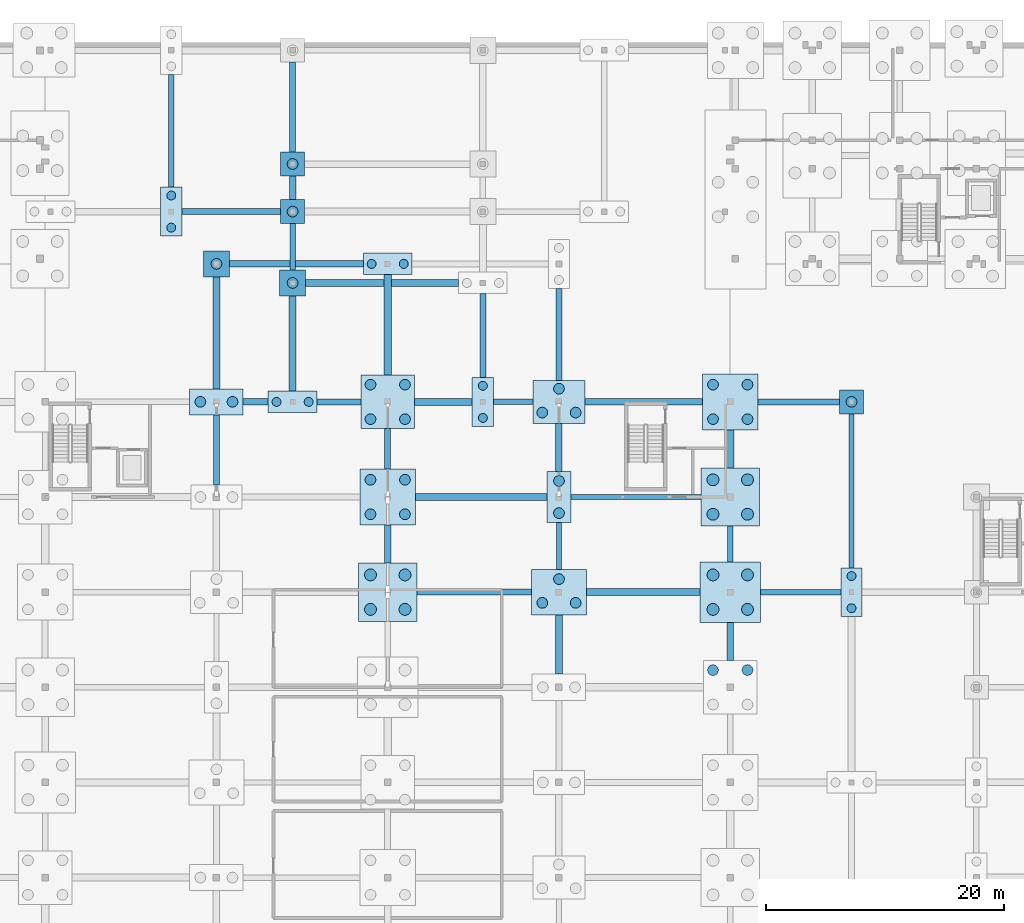
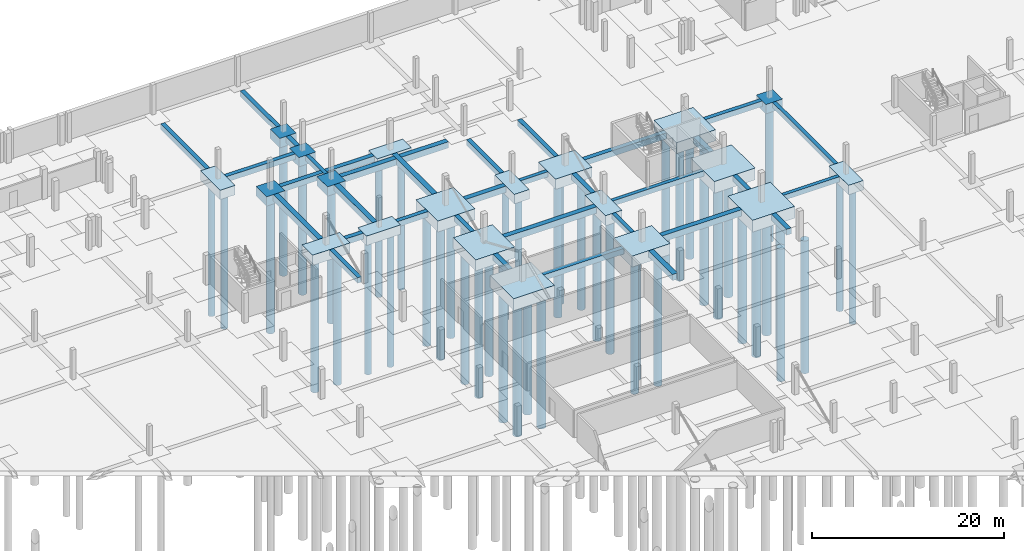
# One storey, part 7 of 38: 53 footings, 51 piles.
"""IFC4 building model written with IfcOpenShell, lengths in metres."""

from ifc_helpers import new_model, si_unit, direction, frame, origin, origin_2d, place, context, subcontext, project, spatial, rectangle, circle, extrude, material, material_profile, profile_set, type_object, element, save


model = new_model("IFC4")

# Units and contexts
model_context = context("Model", 3, precision=1e-05, world=origin(), true_north=direction((0.0, 1.0)))
body_context = subcontext(model_context, "Body", "Model", "MODEL_VIEW")
ifc_project = project(units=[si_unit("LENGTHUNIT", "METRE"), si_unit("AREAUNIT", "SQUARE_METRE"), si_unit("VOLUMEUNIT", "CUBIC_METRE"), si_unit("PLANEANGLEUNIT", "RADIAN"), si_unit("MASSUNIT", "GRAM", prefix="KILO")], contexts=[model_context])

# Site, building, storey
site_placement = place(None, origin())
site = spatial("IfcSite", under=ifc_project, at=site_placement, CompositionType="ELEMENT")
building_placement = place(site_placement, origin())
building = spatial("IfcBuilding", under=site, at=building_placement, Name="Zavelmont Quarter", CompositionType="ELEMENT")
storey_placement = place(building_placement, frame((0.0, 0.0, -3.800048828125)))
storey = spatial("IfcBuildingStorey", under=building, at=storey_placement, Name="B01", CompositionType="ELEMENT", Elevation=-3.800048828125)

# Footings
ifc_material = material(Name="Concrete C35/45", Category="concrete")
footing_type_1 = type_object("IfcFootingType", Name="GB01", PredefinedType="FOOTING_BEAM", material=ifc_material)
footing_1_placement = place(storey_placement, frame((91.27490234375, 70.0, -0.69970703125), z_axis=(0.0, 0.0, 1.0), x_axis=(1.0, 0.0, 0.0)))
element("IfcFooting", 1, at=footing_1_placement, inside=storey, type_object=footing_type_1, Name="B01 ground beam GB01 at 14/L", PredefinedType="FOOTING_BEAM", context=body_context, shape_type="SweptSolid", body=[
    extrude(rectangle(XDim=9.64990234375, YDim=0.5, at=origin_2d()), origin(), (0.0, 0.0, 1.0), 0.699951171875),
])
footing_2_placement = place(storey_placement, frame((79.89990234375, 86.0, -0.69970703125), z_axis=(0.0, 0.0, 1.0), x_axis=(1.0, 0.0, 0.0)))
element("IfcFooting", 2, at=footing_2_placement, inside=storey, type_object=footing_type_1, Name="B01 ground beam GB01 at 12/N", PredefinedType="FOOTING_BEAM", context=body_context, shape_type="SweptSolid", body=[
    extrude(rectangle(XDim=3.699951171875, YDim=0.5, at=origin_2d()), origin(), (0.0, 0.0, 1.0), 0.699951171875),
])
footing_3_placement = place(storey_placement, frame((118.574951171875, 86.0, -0.69970703125), z_axis=(0.0, 0.0, 1.0), x_axis=(1.0, 0.0, 0.0)))
element("IfcFooting", 3, at=footing_3_placement, inside=storey, type_object=footing_type_1, Name="B01 ground beam GB01 at 18/N", PredefinedType="FOOTING_BEAM", context=body_context, shape_type="SweptSolid", body=[
    extrude(rectangle(XDim=6.85009765625, YDim=0.5, at=origin_2d()), origin(), (0.0, 0.0, 1.0), 0.699951171875),
])
footing_4_placement = place(storey_placement, frame((70.85009765625, 102.0, -0.69970703125), z_axis=(0.0, 0.0, 1.0), x_axis=(1.0, 0.0, 0.0)))
element("IfcFooting", 4, at=footing_4_placement, inside=storey, type_object=footing_type_1, Name="B01 ground beam GB01 at 11/Q", PredefinedType="FOOTING_BEAM", context=body_context, shape_type="SweptSolid", body=[
    extrude(rectangle(XDim=8.300048828125, YDim=0.5, at=origin_2d()), origin(), (0.0, 0.0, 1.0), 0.699951171875),
])
footing_5_placement = place(storey_placement, frame((65.800048828125, 108.780029296875, -0.69970703125), z_axis=(0.0, 0.0, 1.0), x_axis=(0.0, 1.0, 0.0)))
element("IfcFooting", 5, at=footing_5_placement, inside=storey, type_object=footing_type_1, Name="B01 ground beam GB01 at 10/R", PredefinedType="FOOTING_BEAM", context=body_context, shape_type="SweptSolid", body=[
    extrude(rectangle(XDim=9.4599609375, YDim=0.5, at=origin_2d()), origin(), (0.0, 0.0, 1.0), 0.699951171875),
])
footing_6_placement = place(storey_placement, frame((69.60009765625, 81.949951171875, -0.69970703125), z_axis=(0.0, 0.0, 1.0), x_axis=(0.0, 1.0, 0.0)))
element("IfcFooting", 6, at=footing_6_placement, inside=storey, type_object=footing_type_1, Name="B01 ground beam GB01 at 11/M", PredefinedType="FOOTING_BEAM", context=body_context, shape_type="SweptSolid", body=[
    extrude(rectangle(XDim=5.89990234375, YDim=0.5, at=origin_2d()), origin(), (0.0, 0.0, 1.0), 0.699951171875),
])
footing_7_placement = place(storey_placement, frame((76.0, 110.780029296875, -0.69970703125), z_axis=(0.0, 0.0, 1.0), x_axis=(0.0, 1.0, 0.0)))
element("IfcFooting", 7, at=footing_7_placement, inside=storey, type_object=footing_type_1, Name="B01 ground beam GB01 at 12/R", PredefinedType="FOOTING_BEAM", context=body_context, shape_type="SweptSolid", body=[
    extrude(rectangle(XDim=7.56005859375, YDim=0.5, at=origin_2d()), origin(), (0.0, 0.0, 1.0), 0.699951171875),
])
footing_8_placement = place(storey_placement, frame((84.0, 82.050048828125, -0.69970703125), z_axis=(0.0, 0.0, 1.0), x_axis=(0.0, 1.0, 0.0)))
element("IfcFooting", 8, at=footing_8_placement, inside=storey, type_object=footing_type_1, Name="B01 ground beam GB01 at 13/N", PredefinedType="FOOTING_BEAM", context=body_context, shape_type="SweptSolid", body=[
    extrude(rectangle(XDim=3.39990234375, YDim=0.5, at=origin_2d()), origin(), (0.0, 0.0, 1.0), 0.699951171875),
])
footing_9_placement = place(storey_placement, frame((92.0, 91.574951171875, -0.69970703125), z_axis=(0.0, 0.0, 1.0), x_axis=(0.0, 1.0, 0.0)))
element("IfcFooting", 9, at=footing_9_placement, inside=storey, type_object=footing_type_1, Name="B01 ground beam GB01 at 14/N", PredefinedType="FOOTING_BEAM", context=body_context, shape_type="SweptSolid", body=[
    extrude(rectangle(XDim=7.050048828125, YDim=0.5, at=origin_2d()), origin(), (0.0, 0.0, 1.0), 0.699951171875),
])
footing_10_placement = place(storey_placement, frame((98.39990234375, 91.675048828125, -0.69970703125), z_axis=(0.0, 0.0, 1.0), x_axis=(0.0, 1.0, 0.0)))
element("IfcFooting", 10, at=footing_10_placement, inside=storey, type_object=footing_type_1, Name="B01 ground beam GB01 at 15/N", PredefinedType="FOOTING_BEAM", context=body_context, shape_type="SweptSolid", body=[
    extrude(rectangle(XDim=7.75, YDim=0.5, at=origin_2d()), origin(), (0.0, 0.0, 1.0), 0.699951171875),
])
footing_11_placement = place(storey_placement, frame((112.800048828125, 74.050048828125, -0.69970703125), z_axis=(0.0, 0.0, 1.0), x_axis=(0.0, 1.0, 0.0)))
element("IfcFooting", 11, at=footing_11_placement, inside=storey, type_object=footing_type_1, Name="B01 ground beam GB01 at 17/M", PredefinedType="FOOTING_BEAM", context=body_context, shape_type="SweptSolid", body=[
    extrude(rectangle(XDim=3.0, YDim=0.5, at=origin_2d()), origin(), (0.0, 0.0, 1.0), 0.699951171875),
])
footing_type_2 = type_object("IfcFootingType", Name="GB02", PredefinedType="FOOTING_BEAM", material=ifc_material)
footing_12_placement = place(storey_placement, frame((105.47509765625, 70.0, -0.7998046875), z_axis=(0.0, 0.0, 1.0), x_axis=(1.0, 0.0, 0.0)))
element("IfcFooting", 12, at=footing_12_placement, inside=storey, type_object=footing_type_2, Name="B01 ground beam GB02 at 16/L", PredefinedType="FOOTING_BEAM", context=body_context, shape_type="SweptSolid", body=[
    extrude(rectangle(XDim=9.550048828125, YDim=0.60009765625, at=origin_2d()), origin(), (0.0, 0.0, 1.0), 0.800048828125),
])
footing_13_placement = place(storey_placement, frame((91.875, 78.0, -0.7998046875), z_axis=(0.0, 0.0, 1.0), x_axis=(1.0, 0.0, 0.0)))
element("IfcFooting", 13, at=footing_13_placement, inside=storey, type_object=footing_type_2, Name="B01 ground beam GB02 at 14/M", PredefinedType="FOOTING_BEAM", context=body_context, shape_type="SweptSolid", body=[
    extrude(rectangle(XDim=11.050048828125, YDim=0.60009765625, at=origin_2d()), origin(), (0.0, 0.0, 1.0), 0.800048828125),
])
footing_14_placement = place(storey_placement, frame((88.675048828125, 86.0, -0.7998046875), z_axis=(0.0, 0.0, 1.0), x_axis=(1.0, 0.0, 0.0)))
element("IfcFooting", 14, at=footing_14_placement, inside=storey, type_object=footing_type_2, Name="B01 ground beam GB02 at 14/N", PredefinedType="FOOTING_BEAM", context=body_context, shape_type="SweptSolid", body=[
    extrude(rectangle(XDim=4.85009765625, YDim=0.60009765625, at=origin_2d()), origin(), (0.0, 0.0, 1.0), 0.800048828125),
])
footing_15_placement = place(storey_placement, frame((83.52490234375, 96.0, -0.7998046875), z_axis=(0.0, 0.0, 1.0), x_axis=(1.0, 0.0, 0.0)))
element("IfcFooting", 15, at=footing_15_placement, inside=storey, type_object=footing_type_2, Name="B01 ground beam GB02 at 13/P", PredefinedType="FOOTING_BEAM", context=body_context, shape_type="SweptSolid", body=[
    extrude(rectangle(XDim=12.85009765625, YDim=0.60009765625, at=origin_2d()), origin(), (0.0, 0.0, 1.0), 0.800048828125),
])
footing_16_placement = place(storey_placement, frame((69.60009765625, 91.800048828125, -0.7998046875), z_axis=(0.0, 0.0, 1.0), x_axis=(0.0, 1.0, 0.0)))
element("IfcFooting", 16, at=footing_16_placement, inside=storey, type_object=footing_type_2, Name="B01 ground beam GB02 at 11/N", PredefinedType="FOOTING_BEAM", context=body_context, shape_type="SweptSolid", body=[
    extrude(rectangle(XDim=9.39990234375, YDim=0.60009765625, at=origin_2d()), origin(), (0.0, 0.0, 1.0), 0.800048828125),
])
footing_17_placement = place(storey_placement, frame((76.0, 90.89990234375, -0.7998046875), z_axis=(0.0, 0.0, 1.0), x_axis=(0.0, 1.0, 0.0)))
element("IfcFooting", 17, at=footing_17_placement, inside=storey, type_object=footing_type_2, Name="B01 ground beam GB02 at 12/N", PredefinedType="FOOTING_BEAM", context=body_context, shape_type="SweptSolid", body=[
    extrude(rectangle(XDim=8.0, YDim=0.60009765625, at=origin_2d()), origin(), (0.0, 0.0, 1.0), 0.800048828125),
])
footing_18_placement = place(storey_placement, frame((84.0, 92.47509765625, -0.7998046875), z_axis=(0.0, 0.0, 1.0), x_axis=(0.0, 1.0, 0.0)))
element("IfcFooting", 18, at=footing_18_placement, inside=storey, type_object=footing_type_2, Name="B01 ground beam GB02 at 13/P", PredefinedType="FOOTING_BEAM", context=body_context, shape_type="SweptSolid", body=[
    extrude(rectangle(XDim=8.449951171875, YDim=0.60009765625, at=origin_2d()), origin(), (0.0, 0.0, 1.0), 0.800048828125),
])
footing_19_placement = place(storey_placement, frame((98.39990234375, 65.60009765625, -0.7998046875), z_axis=(0.0, 0.0, 1.0), x_axis=(0.0, 1.0, 0.0)))
element("IfcFooting", 19, at=footing_19_placement, inside=storey, type_object=footing_type_2, Name="B01 ground beam GB02 at 15/K", PredefinedType="FOOTING_BEAM", context=body_context, shape_type="SweptSolid", body=[
    extrude(rectangle(XDim=5.0, YDim=0.60009765625, at=origin_2d()), origin(), (0.0, 0.0, 1.0), 0.800048828125),
])
footing_20_placement = place(storey_placement, frame((112.800048828125, 82.050048828125, -0.7998046875), z_axis=(0.0, 0.0, 1.0), x_axis=(0.0, 1.0, 0.0)))
element("IfcFooting", 20, at=footing_20_placement, inside=storey, type_object=footing_type_2, Name="B01 ground beam GB02 at 17/N", PredefinedType="FOOTING_BEAM", context=body_context, shape_type="SweptSolid", body=[
    extrude(rectangle(XDim=3.199951171875, YDim=0.60009765625, at=origin_2d()), origin(), (0.0, 0.0, 1.0), 0.800048828125),
])
footing_type_3 = type_object("IfcFootingType", Name="GB03", PredefinedType="FOOTING_BEAM", material=ifc_material)
footing_21_placement = place(storey_placement, frame((118.72509765625, 70.0, -0.64990234375), z_axis=(0.0, 0.0, 1.0), x_axis=(1.0, 0.0, 0.0)))
element("IfcFooting", 21, at=footing_21_placement, inside=storey, type_object=footing_type_3, Name="B01 ground beam GB03 at 18/L", PredefinedType="FOOTING_BEAM", context=body_context, shape_type="SweptSolid", body=[
    extrude(rectangle(XDim=6.75, YDim=0.449951171875, at=origin_2d()), origin(), (0.0, 0.0, 1.0), 0.64990234375),
])
footing_22_placement = place(storey_placement, frame((104.875, 78.0, -0.64990234375), z_axis=(0.0, 0.0, 1.0), x_axis=(1.0, 0.0, 0.0)))
element("IfcFooting", 22, at=footing_22_placement, inside=storey, type_object=footing_type_3, Name="B01 ground beam GB03 at 16/M", PredefinedType="FOOTING_BEAM", context=body_context, shape_type="SweptSolid", body=[
    extrude(rectangle(XDim=10.949951171875, YDim=0.449951171875, at=origin_2d()), origin(), (0.0, 0.0, 1.0), 0.64990234375),
])
footing_23_placement = place(storey_placement, frame((94.550048828125, 86.0, -0.64990234375), z_axis=(0.0, 0.0, 1.0), x_axis=(1.0, 0.0, 0.0)))
element("IfcFooting", 23, at=footing_23_placement, inside=storey, type_object=footing_type_3, Name="B01 ground beam GB03 at 14/N", PredefinedType="FOOTING_BEAM", context=body_context, shape_type="SweptSolid", body=[
    extrude(rectangle(XDim=3.300048828125, YDim=0.449951171875, at=origin_2d()), origin(), (0.0, 0.0, 1.0), 0.64990234375),
])
footing_24_placement = place(storey_placement, frame((76.0, 99.050048828125, -0.64990234375), z_axis=(0.0, 0.0, 1.0), x_axis=(0.0, 1.0, 0.0)))
element("IfcFooting", 24, at=footing_24_placement, inside=storey, type_object=footing_type_3, Name="B01 ground beam GB03 at 12/P", PredefinedType="FOOTING_BEAM", context=body_context, shape_type="SweptSolid", body=[
    extrude(rectangle(XDim=3.89990234375, YDim=0.449951171875, at=origin_2d()), origin(), (0.0, 0.0, 1.0), 0.64990234375),
])
footing_25_placement = place(storey_placement, frame((98.39990234375, 73.875, -0.64990234375), z_axis=(0.0, 0.0, 1.0), x_axis=(0.0, 1.0, 0.0)))
element("IfcFooting", 25, at=footing_25_placement, inside=storey, type_object=footing_type_3, Name="B01 ground beam GB03 at 15/L", PredefinedType="FOOTING_BEAM", context=body_context, shape_type="SweptSolid", body=[
    extrude(rectangle(XDim=3.949951171875, YDim=0.449951171875, at=origin_2d()), origin(), (0.0, 0.0, 1.0), 0.64990234375),
])
footing_26_placement = place(storey_placement, frame((123.0, 78.52490234375, -0.64990234375), z_axis=(0.0, 0.0, 1.0), x_axis=(0.0, 1.0, 0.0)))
element("IfcFooting", 26, at=footing_26_placement, inside=storey, type_object=footing_type_3, Name="B01 ground beam GB03 at 18/M", PredefinedType="FOOTING_BEAM", context=body_context, shape_type="SweptSolid", body=[
    extrude(rectangle(XDim=12.949951171875, YDim=0.449951171875, at=origin_2d()), origin(), (0.0, 0.0, 1.0), 0.64990234375),
])
footing_type_4 = type_object("IfcFootingType", Name="GB04", PredefinedType="FOOTING_BEAM", material=ifc_material)
footing_27_placement = place(storey_placement, frame((72.89990234375, 86.0, -0.75), z_axis=(0.0, 0.0, 1.0), x_axis=(1.0, 0.0, 0.0)))
element("IfcFooting", 27, at=footing_27_placement, inside=storey, type_object=footing_type_4, Name="B01 ground beam GB04 at 11/N", PredefinedType="FOOTING_BEAM", context=body_context, shape_type="SweptSolid", body=[
    extrude(rectangle(XDim=2.10009765625, YDim=0.550048828125, at=origin_2d()), origin(), (0.0, 0.0, 1.0), 0.75),
])
footing_28_placement = place(storey_placement, frame((105.52490234375, 86.0, -0.75), z_axis=(0.0, 0.0, 1.0), x_axis=(1.0, 0.0, 0.0)))
element("IfcFooting", 28, at=footing_28_placement, inside=storey, type_object=footing_type_4, Name="B01 ground beam GB04 at 16/N", PredefinedType="FOOTING_BEAM", context=body_context, shape_type="SweptSolid", body=[
    extrude(rectangle(XDim=9.85009765625, YDim=0.550048828125, at=origin_2d()), origin(), (0.0, 0.0, 1.0), 0.75),
])
footing_29_placement = place(storey_placement, frame((76.324951171875, 97.60009765625, -0.75), z_axis=(0.0, 0.0, 1.0), x_axis=(1.0, 0.0, 0.0)))
element("IfcFooting", 29, at=footing_29_placement, inside=storey, type_object=footing_type_4, Name="B01 ground beam GB04 at 12/P", PredefinedType="FOOTING_BEAM", context=body_context, shape_type="SweptSolid", body=[
    extrude(rectangle(XDim=11.25, YDim=0.550048828125, at=origin_2d()), origin(), (0.0, 0.0, 1.0), 0.75),
])
footing_30_placement = place(storey_placement, frame((76.0, 104.0, -0.75), z_axis=(0.0, 0.0, 1.0), x_axis=(0.0, 1.0, 0.0)))
element("IfcFooting", 30, at=footing_30_placement, inside=storey, type_object=footing_type_4, Name="B01 ground beam GB04 at 12/Q", PredefinedType="FOOTING_BEAM", context=body_context, shape_type="SweptSolid", body=[
    extrude(rectangle(XDim=2.0, YDim=0.550048828125, at=origin_2d()), origin(), (0.0, 0.0, 1.0), 0.75),
])
footing_31_placement = place(storey_placement, frame((84.0, 74.050048828125, -0.75), z_axis=(0.0, 0.0, 1.0), x_axis=(0.0, 1.0, 0.0)))
element("IfcFooting", 31, at=footing_31_placement, inside=storey, type_object=footing_type_4, Name="B01 ground beam GB04 at 13/M", PredefinedType="FOOTING_BEAM", context=body_context, shape_type="SweptSolid", body=[
    extrude(rectangle(XDim=3.199951171875, YDim=0.550048828125, at=origin_2d()), origin(), (0.0, 0.0, 1.0), 0.75),
])
footing_32_placement = place(storey_placement, frame((98.39990234375, 82.175048828125, -0.75), z_axis=(0.0, 0.0, 1.0), x_axis=(0.0, 1.0, 0.0)))
element("IfcFooting", 32, at=footing_32_placement, inside=storey, type_object=footing_type_4, Name="B01 ground beam GB04 at 15/N", PredefinedType="FOOTING_BEAM", context=body_context, shape_type="SweptSolid", body=[
    extrude(rectangle(XDim=4.050048828125, YDim=0.550048828125, at=origin_2d()), origin(), (0.0, 0.0, 1.0), 0.75),
])
footing_33_placement = place(storey_placement, frame((112.800048828125, 65.85009765625, -0.75), z_axis=(0.0, 0.0, 1.0), x_axis=(0.0, 1.0, 0.0)))
element("IfcFooting", 33, at=footing_33_placement, inside=storey, type_object=footing_type_4, Name="B01 ground beam GB04 at 17/K", PredefinedType="FOOTING_BEAM", context=body_context, shape_type="SweptSolid", body=[
    extrude(rectangle(XDim=3.199951171875, YDim=0.550048828125, at=origin_2d()), origin(), (0.0, 0.0, 1.0), 0.75),
])

# Piles
ifc_material_profile_1 = material_profile(ifc_material, circle(Radius=0.5, at=origin_2d()), Name="BP1000")
ifc_profile_set_1 = profile_set([ifc_material_profile_1], Name="Concrete C35/45")
pile_type_1 = type_object("IfcPileType", Name="P01", PredefinedType="BORED", material=ifc_profile_set_1)
for number, where, z_axis, x_axis, name in (
    (34, (82.550048828125, 68.550048828125, -1.39990234375), (0.0, 0.0, -1.0), (1.0, 0.0, 0.0), "B01 bored pile P01 under CAP-126.1"),
    (35, (85.449951171875, 68.550048828125, -1.39990234375), (0.0, 0.0, -1.0), (1.0, 0.0, 0.0), "B01 bored pile P01 under CAP-126.2"),
    (36, (85.449951171875, 71.449951171875, -1.39990234375), (0.0, 0.0, -1.0), (1.0, 0.0, 0.0), "B01 bored pile P01 under CAP-126.3"),
    (37, (82.550048828125, 71.449951171875, -1.39990234375), (0.0, 0.0, -1.0), (1.0, 0.0, 0.0), "B01 bored pile P01 under CAP-126.4"),
    (38, (111.35009765625, 68.550048828125, -1.39990234375), (0.0, 0.0, -1.0), (1.0, 0.0, 0.0), "B01 bored pile P01 under CAP-128.1"),
    (39, (114.25, 68.550048828125, -1.39990234375), (0.0, 0.0, -1.0), (1.0, 0.0, 0.0), "B01 bored pile P01 under CAP-128.2"),
    (40, (114.25, 71.449951171875, -1.39990234375), (0.0, 0.0, -1.0), (1.0, 0.0, 0.0), "B01 bored pile P01 under CAP-128.3"),
    (41, (111.35009765625, 71.449951171875, -1.39990234375), (0.0, 0.0, -1.0), (1.0, 0.0, 0.0), "B01 bored pile P01 under CAP-128.4"),
    (42, (111.35009765625, 76.550048828125, -1.39990234375), (0.0, 0.0, -1.0), (1.0, 0.0, 0.0), "B01 bored pile P01 under CAP-143.1"),
    (43, (114.25, 76.550048828125, -1.39990234375), (0.0, 0.0, -1.0), (1.0, 0.0, 0.0), "B01 bored pile P01 under CAP-143.2"),
    (44, (114.25, 79.449951171875, -1.39990234375), (0.0, 0.0, -1.0), (1.0, 0.0, 0.0), "B01 bored pile P01 under CAP-143.3"),
    (45, (111.35009765625, 79.449951171875, -1.39990234375), (0.0, 0.0, -1.0), (1.0, 0.0, 0.0), "B01 bored pile P01 under CAP-143.4"),
):
    element("IfcPile", number, at=place(storey_placement, frame(where, z_axis=z_axis, x_axis=x_axis)), inside=storey, type_object=pile_type_1, Name=name, PredefinedType="BORED", context=body_context, shape_type="SweptSolid", body=[
        extrude(circle(Radius=0.5, at=origin_2d()), origin(), (0.0, 0.0, 1.0), 16.800048828125),
    ])
ifc_material_profile_2 = material_profile(ifc_material, circle(Radius=0.449951171875, at=origin_2d()), Name="BP900")
ifc_profile_set_2 = profile_set([ifc_material_profile_2], Name="Concrete C35/45")
pile_type_2 = type_object("IfcPileType", Name="P02", PredefinedType="BORED", material=ifc_profile_set_2)
for number, where, z_axis, x_axis, name in (
    (46, (114.25, 63.449951171875, -1.300048828125), (0.0, 0.0, -1.0), (1.0, 0.0, 0.0), "B01 bored pile P02 under CAP-116.3"),
    (47, (111.35009765625, 63.449951171875, -1.300048828125), (0.0, 0.0, -1.0), (1.0, 0.0, 0.0), "B01 bored pile P02 under CAP-116.4"),
    (48, (97.0, 69.10009765625, -1.300048828125), (0.0, 0.0, -1.0), (1.0, 0.0, 0.0), "B01 bored pile P02 under CAP-127.1"),
    (49, (99.800048828125, 69.10009765625, -1.300048828125), (0.0, 0.0, -1.0), (1.0, 0.0, 0.0), "B01 bored pile P02 under CAP-127.2"),
    (50, (98.39990234375, 71.10009765625, -1.300048828125), (0.0, 0.0, -1.0), (1.0, 0.0, 0.0), "B01 bored pile P02 under CAP-127.3"),
    (51, (82.550048828125, 76.550048828125, -1.300048828125), (0.0, 0.0, -1.0), (1.0, 0.0, 0.0), "B01 bored pile P02 under CAP-141.1"),
    (52, (85.449951171875, 76.550048828125, -1.300048828125), (0.0, 0.0, -1.0), (1.0, 0.0, 0.0), "B01 bored pile P02 under CAP-141.2"),
    (53, (85.449951171875, 79.449951171875, -1.300048828125), (0.0, 0.0, -1.0), (1.0, 0.0, 0.0), "B01 bored pile P02 under CAP-141.3"),
    (54, (82.550048828125, 79.449951171875, -1.300048828125), (0.0, 0.0, -1.0), (1.0, 0.0, 0.0), "B01 bored pile P02 under CAP-141.4"),
    (55, (82.550048828125, 84.550048828125, -1.300048828125), (0.0, 0.0, -1.0), (1.0, 0.0, 0.0), "B01 bored pile P02 under CAP-156.1"),
    (56, (85.449951171875, 84.550048828125, -1.300048828125), (0.0, 0.0, -1.0), (1.0, 0.0, 0.0), "B01 bored pile P02 under CAP-156.2"),
    (57, (85.449951171875, 87.449951171875, -1.300048828125), (0.0, 0.0, -1.0), (1.0, 0.0, 0.0), "B01 bored pile P02 under CAP-156.3"),
    (58, (82.550048828125, 87.449951171875, -1.300048828125), (0.0, 0.0, -1.0), (1.0, 0.0, 0.0), "B01 bored pile P02 under CAP-156.4"),
    (59, (111.35009765625, 84.550048828125, -1.300048828125), (0.0, 0.0, -1.0), (1.0, 0.0, 0.0), "B01 bored pile P02 under CAP-159.1"),
    (60, (114.25, 84.550048828125, -1.300048828125), (0.0, 0.0, -1.0), (1.0, 0.0, 0.0), "B01 bored pile P02 under CAP-159.2"),
    (61, (114.25, 87.449951171875, -1.300048828125), (0.0, 0.0, -1.0), (1.0, 0.0, 0.0), "B01 bored pile P02 under CAP-159.3"),
    (62, (111.35009765625, 87.449951171875, -1.300048828125), (0.0, 0.0, -1.0), (1.0, 0.0, 0.0), "B01 bored pile P02 under CAP-159.4"),
):
    element("IfcPile", number, at=place(storey_placement, frame(where, z_axis=z_axis, x_axis=x_axis)), inside=storey, type_object=pile_type_2, Name=name, PredefinedType="BORED", context=body_context, shape_type="SweptSolid", body=[
        extrude(circle(Radius=0.449951171875, at=origin_2d()), origin(), (0.0, 0.0, 1.0), 16.89990234375),
    ])
ifc_material_profile_3 = material_profile(ifc_material, circle(Radius=0.449951171875, at=origin_2d()), Name="BP900")
ifc_profile_set_3 = profile_set([ifc_material_profile_3], Name="Concrete C35/45")
pile_type_3 = type_object("IfcPileType", Name="P03", PredefinedType="BORED", material=ifc_profile_set_3)
for number, where, z_axis, x_axis, name in (
    (63, (98.39990234375, 76.64990234375, -1.199951171875), (0.0, 0.0, -1.0), (1.0, 0.0, 0.0), "B01 bored pile P03 under CAP-142.1"),
    (64, (98.39990234375, 79.35009765625, -1.199951171875), (0.0, 0.0, -1.0), (1.0, 0.0, 0.0), "B01 bored pile P03 under CAP-142.2"),
    (65, (68.25, 86.0, -1.199951171875), (0.0, 0.0, -1.0), (1.0, 0.0, 0.0), "B01 bored pile P03 under CAP-154.1"),
    (66, (70.949951171875, 86.0, -1.199951171875), (0.0, 0.0, -1.0), (1.0, 0.0, 0.0), "B01 bored pile P03 under CAP-154.2"),
    (67, (97.0, 85.10009765625, -1.199951171875), (0.0, 0.0, -1.0), (1.0, 0.0, 0.0), "B01 bored pile P03 under CAP-158.1"),
    (68, (99.800048828125, 85.10009765625, -1.199951171875), (0.0, 0.0, -1.0), (1.0, 0.0, 0.0), "B01 bored pile P03 under CAP-158.2"),
    (69, (98.39990234375, 87.10009765625, -1.199951171875), (0.0, 0.0, -1.0), (1.0, 0.0, 0.0), "B01 bored pile P03 under CAP-158.3"),
):
    element("IfcPile", number, at=place(storey_placement, frame(where, z_axis=z_axis, x_axis=x_axis)), inside=storey, type_object=pile_type_3, Name=name, PredefinedType="BORED", context=body_context, shape_type="SweptSolid", body=[
        extrude(circle(Radius=0.449951171875, at=origin_2d()), origin(), (0.0, 0.0, 1.0), 17.0),
    ])
ifc_material_profile_4 = material_profile(ifc_material, circle(Radius=0.449951171875, at=origin_2d()), Name="BP900")
ifc_profile_set_4 = profile_set([ifc_material_profile_4], Name="Concrete C35/45")
pile_type_4 = type_object("IfcPileType", Name="P04", PredefinedType="BORED", material=ifc_profile_set_4)
for number, where, z_axis, x_axis, name in (
    (70, (123.0, 86.0, -1.099853515625), (0.0, 0.0, -1.0), (1.0, 0.0, 0.0), "B01 bored pile P04 under CAP-160.1"),
    (71, (76.0, 96.0, -1.099853515625), (0.0, 0.0, -1.0), (1.0, 0.0, 0.0), "B01 bored pile P04 under CAP-161.1"),
    (72, (69.60009765625, 97.60009765625, -1.099853515625), (0.0, 0.0, -1.0), (1.0, 0.0, 0.0), "B01 bored pile P04 under CAP-163.1"),
    (73, (76.0, 102.0, -1.099853515625), (0.0, 0.0, -1.0), (1.0, 0.0, 0.0), "B01 bored pile P04 under CAP-183.1"),
    (74, (76.0, 106.0, -1.099853515625), (0.0, 0.0, -1.0), (1.0, 0.0, 0.0), "B01 bored pile P04 under CAP-187.1"),
):
    element("IfcPile", number, at=place(storey_placement, frame(where, z_axis=z_axis, x_axis=x_axis)), inside=storey, type_object=pile_type_4, Name=name, PredefinedType="BORED", context=body_context, shape_type="SweptSolid", body=[
        extrude(circle(Radius=0.449951171875, at=origin_2d()), origin(), (0.0, 0.0, 1.0), 17.10009765625),
    ])
ifc_material_profile_5 = material_profile(ifc_material, circle(Radius=0.375, at=origin_2d()), Name="BP750")
ifc_profile_set_5 = profile_set([ifc_material_profile_5], Name="Concrete C35/45")
pile_type_5 = type_object("IfcPileType", Name="P05", PredefinedType="BORED", material=ifc_profile_set_5)
for number, where, z_axis, x_axis, name in (
    (75, (123.0, 68.64990234375, -1.099853515625), (0.0, 0.0, -1.0), (1.0, 0.0, 0.0), "B01 bored pile P05 under CAP-129.1"),
    (76, (123.0, 71.35009765625, -1.099853515625), (0.0, 0.0, -1.0), (1.0, 0.0, 0.0), "B01 bored pile P05 under CAP-129.2"),
    (77, (74.64990234375, 86.0, -1.099853515625), (0.0, 0.0, -1.0), (1.0, 0.0, 0.0), "B01 bored pile P05 under CAP-155.1"),
    (78, (77.35009765625, 86.0, -1.099853515625), (0.0, 0.0, -1.0), (1.0, 0.0, 0.0), "B01 bored pile P05 under CAP-155.2"),
    (79, (92.0, 84.64990234375, -1.099853515625), (0.0, 0.0, -1.0), (1.0, 0.0, 0.0), "B01 bored pile P05 under CAP-157.1"),
    (80, (92.0, 87.35009765625, -1.099853515625), (0.0, 0.0, -1.0), (1.0, 0.0, 0.0), "B01 bored pile P05 under CAP-157.2"),
    (81, (82.64990234375, 97.60009765625, -1.099853515625), (0.0, 0.0, -1.0), (1.0, 0.0, 0.0), "B01 bored pile P05 under CAP-164.1"),
    (82, (85.35009765625, 97.60009765625, -1.099853515625), (0.0, 0.0, -1.0), (1.0, 0.0, 0.0), "B01 bored pile P05 under CAP-164.2"),
    (83, (65.800048828125, 100.64990234375, -1.099853515625), (0.0, 0.0, -1.0), (1.0, 0.0, 0.0), "B01 bored pile P05 under CAP-182.1"),
    (84, (65.800048828125, 103.35009765625, -1.099853515625), (0.0, 0.0, -1.0), (1.0, 0.0, 0.0), "B01 bored pile P05 under CAP-182.2"),
):
    element("IfcPile", number, at=place(storey_placement, frame(where, z_axis=z_axis, x_axis=x_axis)), inside=storey, type_object=pile_type_5, Name=name, PredefinedType="BORED", context=body_context, shape_type="SweptSolid", body=[
        extrude(circle(Radius=0.375, at=origin_2d()), origin(), (0.0, 0.0, 1.0), 17.10009765625),
    ])

# Footings
footing_type_5 = type_object("IfcFootingType", Name="PC03", PredefinedType="PILE_CAP", material=ifc_material)
for number, where, z_axis, x_axis, name in (
    (85, (123.0, 86.0, -1.19970703125), (0.0, 0.0, 1.0), (1.0, 0.0, 0.0), "B01 pile cap PC03 at 18/N"),
    (86, (76.0, 102.0, -1.19970703125), (0.0, 0.0, 1.0), (1.0, 0.0, 0.0), "B01 pile cap PC03 at 12/Q"),
    (87, (76.0, 106.0, -1.19970703125), (0.0, 0.0, 1.0), (1.0, 0.0, 0.0), "B01 pile cap PC03 at 12/Q"),
):
    element("IfcFooting", number, at=place(storey_placement, frame(where, z_axis=z_axis, x_axis=x_axis)), inside=storey, type_object=footing_type_5, Name=name, PredefinedType="PILE_CAP", context=body_context, shape_type="SweptSolid", body=[
        extrude(rectangle(XDim=2.0, YDim=2.0, at=origin_2d()), origin(), (0.0, 0.0, 1.0), 1.199951171875),
    ])
footing_type_6 = type_object("IfcFootingType", Name="PC04", PredefinedType="PILE_CAP", material=ifc_material)
for number, where, z_axis, x_axis, name in (
    (88, (76.0, 96.0, -1.19970703125), (0.0, 0.0, 1.0), (1.0, 0.0, 0.0), "B01 pile cap PC04 at 12/P"),
    (89, (69.60009765625, 97.60009765625, -1.19970703125), (0.0, 0.0, 1.0), (1.0, 0.0, 0.0), "B01 pile cap PC04 at 11/P"),
):
    element("IfcFooting", number, at=place(storey_placement, frame(where, z_axis=z_axis, x_axis=x_axis)), inside=storey, type_object=footing_type_6, Name=name, PredefinedType="PILE_CAP", context=body_context, shape_type="SweptSolid", body=[
        extrude(rectangle(XDim=2.199951171875, YDim=2.199951171875, at=origin_2d()), origin(), (0.0, 0.0, 1.0), 1.199951171875),
    ])
footing_type_7 = type_object("IfcFootingType", Name="PC05", PredefinedType="PILE_CAP", material=ifc_material)
for number, where, z_axis, x_axis, name in (
    (90, (76.0, 86.0, -1.19970703125), (0.0, 0.0, 1.0), (1.0, 0.0, 0.0), "B01 pile cap PC05 at 12/N"),
    (91, (84.0, 97.60009765625, -1.19970703125), (0.0, 0.0, 1.0), (1.0, 0.0, 0.0), "B01 pile cap PC05 at 13/P"),
):
    element("IfcFooting", number, at=place(storey_placement, frame(where, z_axis=z_axis, x_axis=x_axis)), inside=storey, type_object=footing_type_7, Name=name, PredefinedType="PILE_CAP", context=body_context, shape_type="SweptSolid", body=[
        extrude(rectangle(XDim=4.10009765625, YDim=1.800048828125, at=origin_2d()), origin(), (0.0, 0.0, 1.0), 1.199951171875),
    ])
footing_type_8 = type_object("IfcFootingType", Name="PC06", PredefinedType="PILE_CAP", material=ifc_material)
for number, where, z_axis, x_axis, name in (
    (92, (123.0, 70.0, -1.19970703125), (0.0, 0.0, 1.0), (1.0, 0.0, 0.0), "B01 pile cap PC06 at 18/L"),
    (93, (92.0, 86.0, -1.19970703125), (0.0, 0.0, 1.0), (1.0, 0.0, 0.0), "B01 pile cap PC06 at 14/N"),
    (94, (65.800048828125, 102.0, -1.19970703125), (0.0, 0.0, 1.0), (1.0, 0.0, 0.0), "B01 pile cap PC06 at 10/Q"),
):
    element("IfcFooting", number, at=place(storey_placement, frame(where, z_axis=z_axis, x_axis=x_axis)), inside=storey, type_object=footing_type_8, Name=name, PredefinedType="PILE_CAP", context=body_context, shape_type="SweptSolid", body=[
        extrude(rectangle(XDim=1.800048828125, YDim=4.10009765625, at=origin_2d()), origin(), (0.0, 0.0, 1.0), 1.199951171875),
    ])
footing_type_9 = type_object("IfcFootingType", Name="PC08", PredefinedType="PILE_CAP", material=ifc_material)
footing_34_placement = place(storey_placement, frame((98.39990234375, 78.0, -1.2998046875), z_axis=(0.0, 0.0, 1.0), x_axis=(1.0, 0.0, 0.0)))
element("IfcFooting", 95, at=footing_34_placement, inside=storey, type_object=footing_type_9, Name="B01 pile cap PC08 at 15/M", PredefinedType="PILE_CAP", context=body_context, shape_type="SweptSolid", body=[
    extrude(rectangle(XDim=2.0, YDim=4.300048828125, at=origin_2d()), origin(), (0.0, 0.0, 1.0), 1.300048828125),
])
footing_type_10 = type_object("IfcFootingType", Name="PC09", PredefinedType="PILE_CAP", material=ifc_material)
footing_35_placement = place(storey_placement, frame((69.60009765625, 86.0, -1.2998046875), z_axis=(0.0, 0.0, 1.0), x_axis=(1.0, 0.0, 0.0)))
element("IfcFooting", 96, at=footing_35_placement, inside=storey, type_object=footing_type_10, Name="B01 pile cap PC09 at 11/N", PredefinedType="PILE_CAP", context=body_context, shape_type="SweptSolid", body=[
    extrude(rectangle(XDim=4.5, YDim=2.199951171875, at=origin_2d()), origin(), (0.0, 0.0, 1.0), 1.300048828125),
])
footing_type_11 = type_object("IfcFootingType", Name="PC10", PredefinedType="PILE_CAP", material=ifc_material)
footing_36_placement = place(storey_placement, frame((98.39990234375, 86.0, -1.2998046875), z_axis=(0.0, 0.0, 1.0), x_axis=(1.0, 0.0, 0.0)))
element("IfcFooting", 97, at=footing_36_placement, inside=storey, type_object=footing_type_11, Name="B01 pile cap PC10 at 15/N", PredefinedType="PILE_CAP", context=body_context, shape_type="SweptSolid", body=[
    extrude(rectangle(XDim=4.39990234375, YDim=3.60009765625, at=origin_2d()), origin(), (0.0, 0.0, 1.0), 1.300048828125),
])
footing_type_12 = type_object("IfcFootingType", Name="PC11", PredefinedType="PILE_CAP", material=ifc_material)
footing_37_placement = place(storey_placement, frame((98.39990234375, 70.0, -1.39990234375), z_axis=(0.0, 0.0, 1.0), x_axis=(1.0, 0.0, 0.0)))
element("IfcFooting", 98, at=footing_37_placement, inside=storey, type_object=footing_type_12, Name="B01 pile cap PC11 at 15/L", PredefinedType="PILE_CAP", context=body_context, shape_type="SweptSolid", body=[
    extrude(rectangle(XDim=4.60009765625, YDim=3.800048828125, at=origin_2d()), origin(), (0.0, 0.0, 1.0), 1.39990234375),
])
footing_type_13 = type_object("IfcFootingType", Name="PC12", PredefinedType="PILE_CAP", material=ifc_material)
footing_38_placement = place(storey_placement, frame((84.0, 86.0, -1.39990234375), z_axis=(0.0, 0.0, 1.0), x_axis=(1.0, 0.0, 0.0)))
element("IfcFooting", 99, at=footing_38_placement, inside=storey, type_object=footing_type_13, Name="B01 pile cap PC12 at 13/N", PredefinedType="PILE_CAP", context=body_context, shape_type="SweptSolid", body=[
    extrude(rectangle(XDim=4.5, YDim=4.5, at=origin_2d()), origin(), (0.0, 0.0, 1.0), 1.39990234375),
])
footing_type_14 = type_object("IfcFootingType", Name="PC13", PredefinedType="PILE_CAP", material=ifc_material)
for number, where, z_axis, x_axis, name in (
    (100, (84.0, 78.0, -1.39990234375), (0.0, 0.0, 1.0), (1.0, 0.0, 0.0), "B01 pile cap PC13 at 13/M"),
    (101, (112.800048828125, 86.0, -1.39990234375), (0.0, 0.0, 1.0), (1.0, 0.0, 0.0), "B01 pile cap PC13 at 17/N"),
):
    element("IfcFooting", number, at=place(storey_placement, frame(where, z_axis=z_axis, x_axis=x_axis)), inside=storey, type_object=footing_type_14, Name=name, PredefinedType="PILE_CAP", context=body_context, shape_type="SweptSolid", body=[
        extrude(rectangle(XDim=4.699951171875, YDim=4.699951171875, at=origin_2d()), origin(), (0.0, 0.0, 1.0), 1.39990234375),
    ])
footing_type_15 = type_object("IfcFootingType", Name="PC14", PredefinedType="PILE_CAP", material=ifc_material)
for number, where, z_axis, x_axis, name in (
    (102, (84.0, 70.0, -1.5), (0.0, 0.0, 1.0), (1.0, 0.0, 0.0), "B01 pile cap PC14 at 13/L"),
    (103, (112.800048828125, 78.0, -1.5), (0.0, 0.0, 1.0), (1.0, 0.0, 0.0), "B01 pile cap PC14 at 17/M"),
):
    element("IfcFooting", number, at=place(storey_placement, frame(where, z_axis=z_axis, x_axis=x_axis)), inside=storey, type_object=footing_type_15, Name=name, PredefinedType="PILE_CAP", context=body_context, shape_type="SweptSolid", body=[
        extrude(rectangle(XDim=4.89990234375, YDim=4.89990234375, at=origin_2d()), origin(), (0.0, 0.0, 1.0), 1.5),
    ])
footing_type_16 = type_object("IfcFootingType", Name="PC15", PredefinedType="PILE_CAP", material=ifc_material)
footing_39_placement = place(storey_placement, frame((112.800048828125, 70.0, -1.5), z_axis=(0.0, 0.0, 1.0), x_axis=(1.0, 0.0, 0.0)))
element("IfcFooting", 104, at=footing_39_placement, inside=storey, type_object=footing_type_16, Name="B01 pile cap PC15 at 17/L", PredefinedType="PILE_CAP", context=body_context, shape_type="SweptSolid", body=[
    extrude(rectangle(XDim=5.10009765625, YDim=5.10009765625, at=origin_2d()), origin(), (0.0, 0.0, 1.0), 1.5),
])

save(model, "model.ifc")
